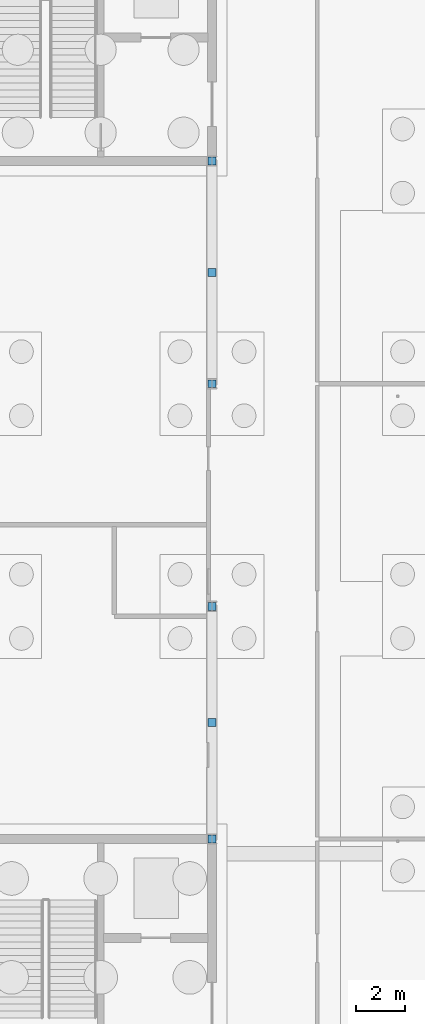
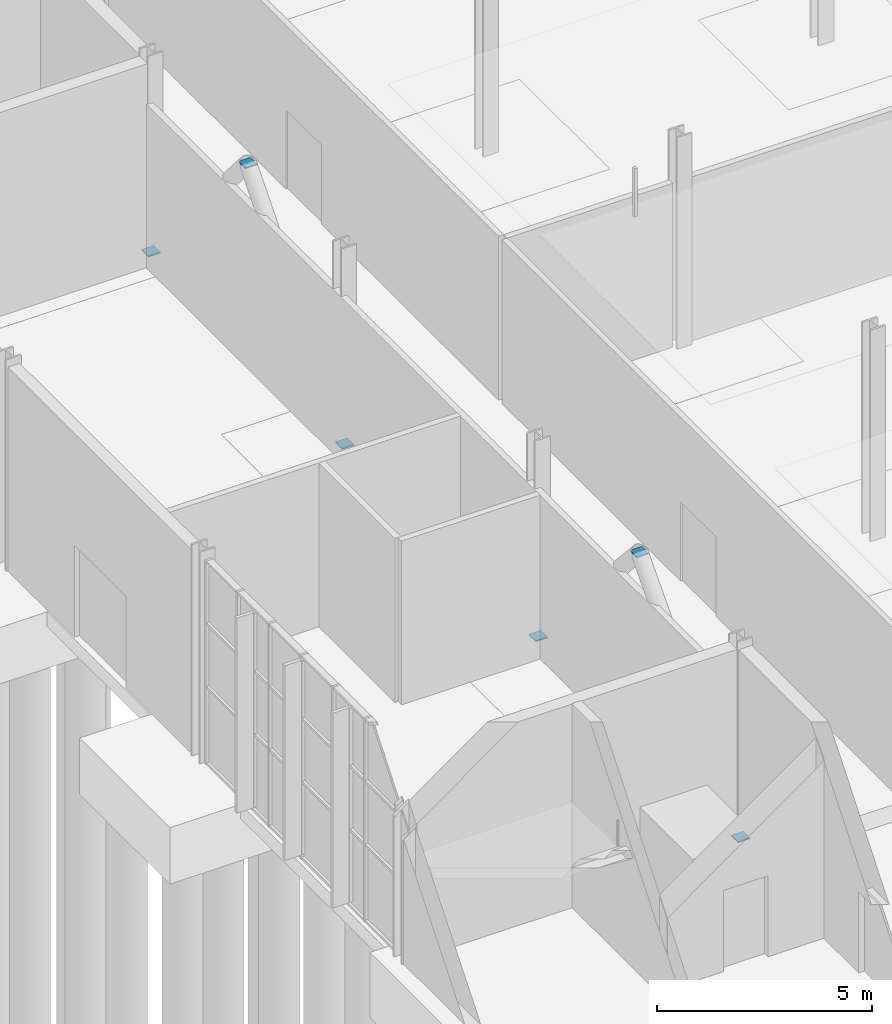
# One storey, part 114 of 131: 6 discrete accessories.
"""IFC4 building model written with IfcOpenShell, lengths in metres."""

import ifcopenshell
import ifcopenshell.guid

model = None  # the IFC model being written
_history = None  # IfcOwnerHistory: only IFC2X3 demands one
_inside = {}  # id of a spatial element -> (the spatial element, [elements in it])
_under = {}  # id of a project, library or spatial element -> (it, [spatial elements below it])
_declared = {}  # id of a project -> (the project, [libraries it declares])
_typed = {}  # id of a type object -> (the type object, [elements of that type])
_made_of = {}  # id of a material, layer set ... -> (it, [elements and type objects made of it])


def new_model(schema):
    """Start an empty IFC model of exactly this schema.

    Asked for "IFC4X3", IfcOpenShell would pick the latest addendum, in which some entities
    have other attributes; the version numbers below select the first issue.
    IFC2X3 requires an IfcOwnerHistory on every rooted entity: one is made here for all.
    """
    global model, _history
    if schema == "IFC4X3":
        model = ifcopenshell.file(schema_version=(4, 3, 0, 0))
    else:
        model = ifcopenshell.file(schema=schema)
    _inside.clear()
    _under.clear()
    _declared.clear()
    _typed.clear()
    _made_of.clear()
    _history = None
    if model.schema == "IFC2X3":
        org = make("IfcOrganization", Name="unknown")
        user = make(
            "IfcPersonAndOrganization",
            ThePerson=make("IfcPerson", FamilyName="unknown"),
            TheOrganization=org,
        )
        app = make(
            "IfcApplication",
            ApplicationDeveloper=org,
            Version="unknown",
            ApplicationFullName="unknown",
            ApplicationIdentifier="unknown",
        )
        _history = make(
            "IfcOwnerHistory",
            OwningUser=user,
            OwningApplication=app,
            ChangeAction="ADDED",
            CreationDate=0,
        )
    return model


def make(cls, **values):
    """One entity of the class cls with the attributes given. An attribute that is None is left unset."""
    return model.create_entity(
        cls, **{name: value for name, value in values.items() if value is not None}
    )


def rooted(cls, **values):
    """An entity with a GlobalId (a new one), such as an element, a storey or a relation."""
    return make(cls, GlobalId=ifcopenshell.guid.new(), OwnerHistory=_history, **values)


def si_unit(unit_type, name, prefix=None):
    """IfcSIUnit, for example si_unit("LENGTHUNIT", "METRE", prefix="MILLI")."""
    return make("IfcSIUnit", UnitType=unit_type, Prefix=prefix, Name=name)


def assignment(units):
    """IfcUnitAssignment: the units of a project."""
    return None if units is None else make("IfcUnitAssignment", Units=units)


def point(xyz):
    """IfcCartesianPoint."""
    return None if xyz is None else make("IfcCartesianPoint", Coordinates=xyz)


def direction(xyz):
    """IfcDirection."""
    return None if xyz is None else make("IfcDirection", DirectionRatios=xyz)


def frame(location, z_axis=None, x_axis=None):
    """IfcAxis2Placement3D, a coordinate frame: its origin and axes. An axis left out is left unset."""
    return make(
        "IfcAxis2Placement3D",
        Location=point(location),
        Axis=direction(z_axis),
        RefDirection=direction(x_axis),
    )


def frame_2d(location, x_axis=None):
    """IfcAxis2Placement2D, a coordinate frame in the plane: its origin and x axis."""
    return make(
        "IfcAxis2Placement2D", Location=point(location), RefDirection=direction(x_axis)
    )


def origin():
    """The frame at (0, 0, 0) with its axes left unset."""
    return frame((0.0, 0.0, 0.0))


def origin_2d():
    """The frame at (0, 0) in the plane with its x axis left unset."""
    return frame_2d((0.0, 0.0))


def place(relative_to, where):
    """IfcLocalPlacement: puts the frame where relative to a parent placement (None: the world)."""
    return make(
        "IfcLocalPlacement", PlacementRelTo=relative_to, RelativePlacement=where
    )


def context(
    kind, dimensions, precision=None, world=None, true_north=None, identifier=None
):
    """IfcGeometricRepresentationContext, for example the 3D "Model" context."""
    return make(
        "IfcGeometricRepresentationContext",
        ContextIdentifier=identifier,
        ContextType=kind,
        CoordinateSpaceDimension=dimensions,
        Precision=precision,
        WorldCoordinateSystem=world,
        TrueNorth=true_north,
    )


def subcontext(parent, identifier, kind, view, scale=None):
    """IfcGeometricRepresentationSubContext, for example "Body" below "Model"."""
    return make(
        "IfcGeometricRepresentationSubContext",
        ContextIdentifier=identifier,
        ContextType=kind,
        ParentContext=parent,
        TargetScale=scale,
        TargetView=view,
    )


def project(units=None, contexts=None):
    """IfcProject with its units and contexts."""
    return rooted(
        "IfcProject",
        Name="project",
        RepresentationContexts=contexts,
        UnitsInContext=assignment(units),
    )


def spatial(cls, under=None, at=None, **own):
    """A site, building, storey or space (cls), placed at a placement, below another one or the project."""
    s = rooted(cls, ObjectPlacement=at, **own)
    if under is not None:
        _under.setdefault(under.id(), (under, []))[1].append(s)
    return s


def profile(cls, at=None, kind="AREA", **sizes):
    """A parametric profile (cls). Its sizes go by their IFC names, for example OverallWidth=200.0."""
    return make(cls, ProfileType=kind, Position=at, **sizes)


def rectangle(**sizes):
    """IfcRectangleProfileDef."""
    return profile("IfcRectangleProfileDef", **sizes)


def extrude(swept, where, along, depth):
    """IfcExtrudedAreaSolid: the profile swept, set in the frame where, extruded along a direction by depth."""
    return make(
        "IfcExtrudedAreaSolid",
        SweptArea=swept,
        Position=where,
        ExtrudedDirection=direction(along),
        Depth=depth,
    )


def shape(context_of_items, identifier, shape_type, items):
    """IfcShapeRepresentation: the items that make up one representation, for example the "Body"."""
    return make(
        "IfcShapeRepresentation",
        ContextOfItems=context_of_items,
        RepresentationIdentifier=identifier,
        RepresentationType=shape_type,
        Items=items,
    )


def material(Name=None, Category=None):
    """IfcMaterial."""
    return make("IfcMaterial", Name=Name, Category=Category)


def made_of(thing, what):
    """Note that an element or type object is made of a material, layer set ...; save() writes the relation."""
    if what is not None:
        _made_of.setdefault(what.id(), (what, []))[1].append(thing)
    return thing


def type_object(cls, material=None, **own):
    """A type object (cls), such as IfcWallType, which elements share."""
    return made_of(rooted(cls, **own), material)


def element(
    cls,
    number,
    at=None,
    inside=None,
    cuts=None,
    type_object=None,
    material=None,
    context=None,
    identifier="Body",
    shape_type=None,
    held_by="IfcProductDefinitionShape",
    body=None,
    shapes=None,
    **own,
):
    """One element of the class cls, such as IfcWall. Its Tag is "e" and its number.

    at: its placement. inside: the storey or other place that contains it. cuts: it is an
    opening in that element (IfcRelVoidsElement). A single representation is given by context,
    identifier, shape_type and body (its items); several are given by shapes. held_by: the class
    of the entity that holds the representations. save() writes the other relations.
    """
    e = rooted(cls, Tag="e%d" % number, ObjectPlacement=at, **own)
    if body is not None:
        shapes = [shape(context, identifier, shape_type, body)]
    if shapes is not None:
        e.Representation = make(held_by, Representations=shapes)
    if inside is not None:
        _inside.setdefault(inside.id(), (inside, []))[1].append(e)
    if cuts is not None:
        rooted(
            "IfcRelVoidsElement", RelatingBuildingElement=cuts, RelatedOpeningElement=e
        )
    if type_object is not None:
        _typed.setdefault(type_object.id(), (type_object, []))[1].append(e)
    return made_of(e, material)


def aggregate(whole, parts):
    """IfcRelAggregates: a whole, such as a stair, and the parts it consists of."""
    return rooted("IfcRelAggregates", RelatingObject=whole, RelatedObjects=parts)


def save(model, path):
    """Write the relations noted so far, then the file.

    IfcRelAggregates (storeys below a building ...), IfcRelContainedInSpatialStructure (elements
    in a storey), IfcRelDefinesByType, IfcRelAssociatesMaterial and IfcRelDeclares: one each for
    every whole, place, type object, material and project.
    """
    for whole, parts in _under.values():
        aggregate(whole, parts)
    for where, things in _inside.values():
        rooted(
            "IfcRelContainedInSpatialStructure",
            RelatedElements=things,
            RelatingStructure=where,
        )
    for kind, things in _typed.values():
        rooted("IfcRelDefinesByType", RelatedObjects=things, RelatingType=kind)
    for what, things in _made_of.values():
        rooted("IfcRelAssociatesMaterial", RelatedObjects=things, RelatingMaterial=what)
    for by, libraries in _declared.values():
        rooted("IfcRelDeclares", RelatingContext=by, RelatedDefinitions=libraries)
    model.write(path)


model = new_model("IFC4")

# Units and contexts
model_context = context("Model", 3, precision=1e-05, world=origin(), true_north=direction((0.0, 1.0)))
body_context = subcontext(model_context, "Body", "Model", "MODEL_VIEW")
ifc_project = project(units=[si_unit("LENGTHUNIT", "METRE"), si_unit("AREAUNIT", "SQUARE_METRE"), si_unit("VOLUMEUNIT", "CUBIC_METRE"), si_unit("PLANEANGLEUNIT", "RADIAN"), si_unit("MASSUNIT", "GRAM", prefix="KILO")], contexts=[model_context])

# Site, building, storey
site_placement = place(None, origin())
site = spatial("IfcSite", under=ifc_project, at=site_placement, CompositionType="ELEMENT")
building_placement = place(site_placement, origin())
building = spatial("IfcBuilding", under=site, at=building_placement, Name="Cazmaro Siding Exhibition Halls", CompositionType="ELEMENT")
storey_placement = place(building_placement, origin())
storey = spatial("IfcBuildingStorey", under=building, at=storey_placement, Name="L00", CompositionType="ELEMENT", Elevation=0.0)

# Discrete accessories
ifc_material = material(Name="Steel ASTM A572 Grade 50", Category="steel")
discrete_accessory_type = type_object("IfcDiscreteAccessoryType", Name="GP-CONN-01", PredefinedType="BRACKET", material=ifc_material)
for number, where, z_axis, x_axis, name in (
    (1, (9.0, 63.60009765625, 0.26513671875), (0.0, 0.0, 1.0), (1.0, 0.0, 0.0), "Welded Steel Brace Node Gusset Connection GP-01 0010"),
    (2, (9.0, 68.300048828125, 5.4970703125), (0.0, 0.0, 1.0), (1.0, 0.0, 0.0), "Welded Steel Brace Node Gusset Connection GP-01 0011"),
    (3, (9.0, 73.0, 0.26513671875), (0.0, 0.0, 1.0), (1.0, 0.0, 0.0), "Welded Steel Brace Node Gusset Connection GP-01 0012"),
    (4, (9.0, 82.0, 0.26513671875), (0.0, 0.0, 1.0), (1.0, 0.0, 0.0), "Welded Steel Brace Node Gusset Connection GP-01 0013"),
    (5, (9.0, 86.5, 5.4970703125), (0.0, 0.0, 1.0), (1.0, 0.0, 0.0), "Welded Steel Brace Node Gusset Connection GP-01 0014"),
    (6, (9.0, 91.0, 0.26513671875), (0.0, 0.0, 1.0), (1.0, 0.0, 0.0), "Welded Steel Brace Node Gusset Connection GP-01 0015"),
):
    element("IfcDiscreteAccessory", number, at=place(storey_placement, frame(where, z_axis=z_axis, x_axis=x_axis)), inside=storey, type_object=discrete_accessory_type, Name=name, PredefinedType="BRACKET", context=body_context, shape_type="SweptSolid", body=[
        extrude(rectangle(XDim=0.320068359375, YDim=0.320068359375, at=origin_2d()), origin(), (0.0, 0.0, 1.0), 0.030029296875),
    ])

save(model, "model.ifc")
